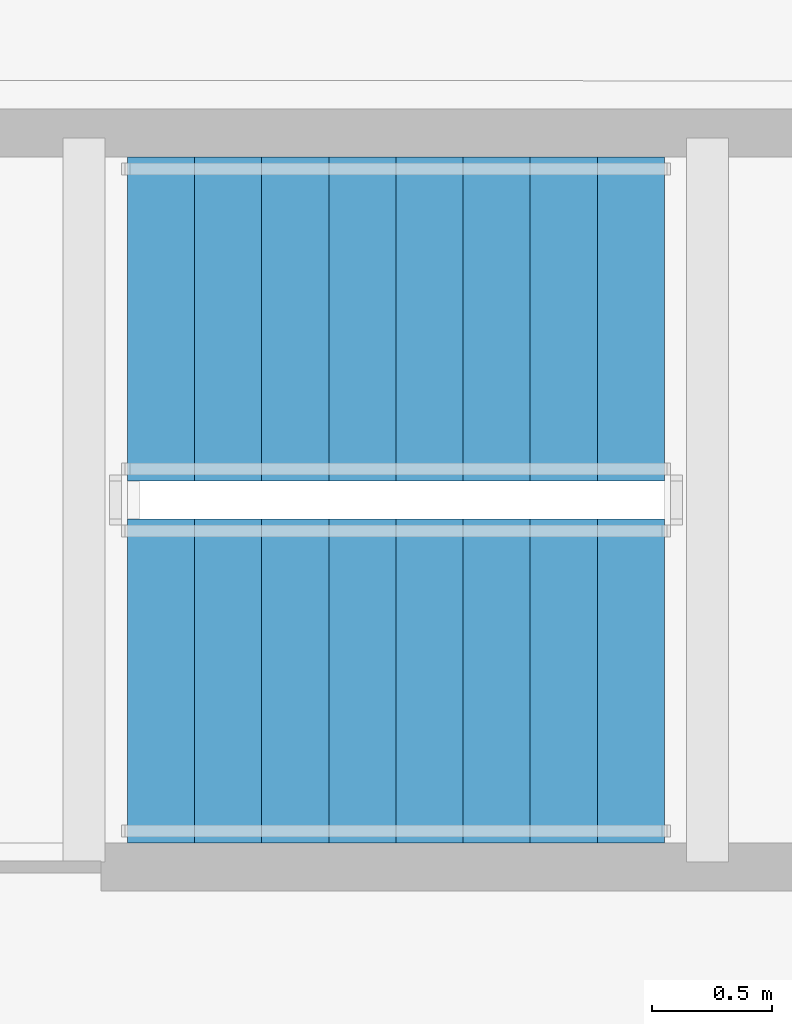
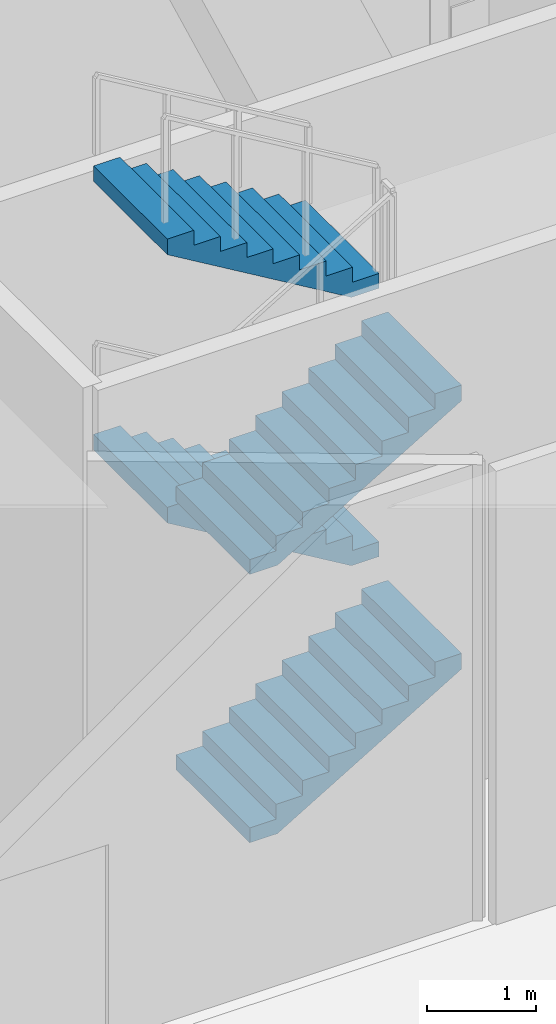
# One storey, part 32 of 40: 4 stair flights, 1 element without a shape of its own.
"""IFC4 building model written with IfcOpenShell, lengths in metres."""

from ifc_helpers import new_model, si_unit, direction, frame, origin, place, context, subcontext, project, spatial, polyline, outline, extrude, material, type_object, element, aggregate, save


model = new_model("IFC4")

# Units and contexts
model_context = context("Model", 3, precision=1e-05, world=origin(), true_north=direction((0.0, 1.0)))
body_context = subcontext(model_context, "Body", "Model", "MODEL_VIEW")
ifc_project = project(units=[si_unit("LENGTHUNIT", "METRE"), si_unit("AREAUNIT", "SQUARE_METRE"), si_unit("VOLUMEUNIT", "CUBIC_METRE"), si_unit("PLANEANGLEUNIT", "RADIAN"), si_unit("MASSUNIT", "GRAM", prefix="KILO")], contexts=[model_context])

# Site, building, storey
site_placement = place(None, origin())
site = spatial("IfcSite", under=ifc_project, at=site_placement, CompositionType="ELEMENT")
building_placement = place(site_placement, origin())
building = spatial("IfcBuilding", under=site, at=building_placement, Name="Qianvela Tower", CompositionType="ELEMENT")
storey_placement = place(building_placement, origin())
storey = spatial("IfcBuildingStorey", under=building, at=storey_placement, Name="L00", CompositionType="ELEMENT", Elevation=0.0)

# Stair, stair flights
ifc_material_1 = material(Name="Concrete C40", Category="concrete")
stair_type = type_object("IfcStairType", Name="ST-DOGLEG-1350-R167-N36", PredefinedType="HALF_TURN_STAIR", material=ifc_material_1)
stair_placement = place(storey_placement, origin())
stair = element("IfcStair", 1, at=stair_placement, inside=storey, type_object=stair_type, Name="L00 Smoke-Proof Core Stair ST-3", PredefinedType="HALF_TURN_STAIR")
ifc_material_2 = material(Name="Concrete C40", Category="concrete")
stair_flight_type = type_object("IfcStairFlightType", Name="STF-STRAIGHT-R167-P9", PredefinedType="STRAIGHT", material=ifc_material_2)
stair_flight_1_placement = place(storey_placement, frame((10.820068359375, 41.875, 0.0), z_axis=(0.0, 0.0, 1.0), x_axis=(1.0, 0.0, 0.0)))
stair_flight_1 = element("IfcStairFlight", 2, at=stair_flight_1_placement, type_object=stair_flight_type, Name="ST-3 flight 1", NumberOfRisers=9, NumberOfTreads=8, PredefinedType="STRAIGHT", RiserHeight=0.166666667, TreadLength=0.28, context=body_context, shape_type="SweptSolid", body=[
    extrude(outline(polyline([(0.0, 0.0), (0.0, 0.166748046875), (0.280029296875, 0.166748046875), (0.280029296875, 0.333251953125), (0.56005859375, 0.333251953125), (0.56005859375, 0.5), (0.840087890625, 0.5), (0.840087890625, 0.666748046875), (1.1201171875, 0.666748046875), (1.1201171875, 0.833251953125), (1.39990234375, 0.833251953125), (1.39990234375, 1.0), (1.679931640625, 1.0), (1.679931640625, 1.166748046875), (1.9599609375, 1.166748046875), (1.9599609375, 1.333251953125), (2.239990234375, 1.333251953125), (2.239990234375, 1.5), (2.239990234375, 1.158935546875), (0.29296875, 0.0), (0.0, 0.0)])), frame((0.0, 0.675048828125, 0.0), z_axis=(0.0, -1.0, 0.0), x_axis=(1.0, 0.0, 0.0)), (0.0, 0.0, 1.0), 1.35009765625),
])
stair_flight_2_placement = place(storey_placement, frame((13.06005859375, 43.385009765625, 1.5), z_axis=(0.0, 0.0, 1.0), x_axis=(-1.0, 0.0, 0.0)))
stair_flight_2 = element("IfcStairFlight", 3, at=stair_flight_2_placement, type_object=stair_flight_type, Name="ST-3 flight 2", NumberOfRisers=9, NumberOfTreads=8, PredefinedType="STRAIGHT", RiserHeight=0.166666667, TreadLength=0.28, context=body_context, shape_type="SweptSolid", body=[
    extrude(outline(polyline([(0.0, 0.0), (0.0, 0.166748046875), (0.280029296875, 0.166748046875), (0.280029296875, 0.333251953125), (0.56005859375, 0.333251953125), (0.56005859375, 0.5), (0.840087890625, 0.5), (0.840087890625, 0.666748046875), (1.1201171875, 0.666748046875), (1.1201171875, 0.833251953125), (1.39990234375, 0.833251953125), (1.39990234375, 1.0), (1.679931640625, 1.0), (1.679931640625, 1.166748046875), (1.9599609375, 1.166748046875), (1.9599609375, 1.333251953125), (2.239990234375, 1.333251953125), (2.239990234375, 1.5), (2.239990234375, 1.158935546875), (0.29296875, 0.0), (0.0, 0.0)])), frame((0.0, 0.675048828125, 0.0), z_axis=(0.0, -1.0, 0.0), x_axis=(1.0, 0.0, 0.0)), (0.0, 0.0, 1.0), 1.35009765625),
])
stair_flight_3_placement = place(storey_placement, frame((10.820068359375, 41.875, 3.0), z_axis=(0.0, 0.0, 1.0), x_axis=(1.0, 0.0, 0.0)))
stair_flight_3 = element("IfcStairFlight", 4, at=stair_flight_3_placement, type_object=stair_flight_type, Name="ST-3 flight 3", NumberOfRisers=9, NumberOfTreads=8, PredefinedType="STRAIGHT", RiserHeight=0.166666667, TreadLength=0.28, context=body_context, shape_type="SweptSolid", body=[
    extrude(outline(polyline([(0.0, 0.0), (0.0, 0.166748046875), (0.280029296875, 0.166748046875), (0.280029296875, 0.333251953125), (0.56005859375, 0.333251953125), (0.56005859375, 0.5), (0.840087890625, 0.5), (0.840087890625, 0.666748046875), (1.1201171875, 0.666748046875), (1.1201171875, 0.833251953125), (1.39990234375, 0.833251953125), (1.39990234375, 1.0), (1.679931640625, 1.0), (1.679931640625, 1.166748046875), (1.9599609375, 1.166748046875), (1.9599609375, 1.333251953125), (2.239990234375, 1.333251953125), (2.239990234375, 1.5), (2.239990234375, 1.158935546875), (0.29296875, 0.0), (0.0, 0.0)])), frame((0.0, 0.675048828125, 0.0), z_axis=(0.0, -1.0, 0.0), x_axis=(1.0, 0.0, 0.0)), (0.0, 0.0, 1.0), 1.35009765625),
])
stair_flight_4_placement = place(storey_placement, frame((13.06005859375, 43.385009765625, 4.5), z_axis=(0.0, 0.0, 1.0), x_axis=(-1.0, 0.0, 0.0)))
stair_flight_4 = element("IfcStairFlight", 5, at=stair_flight_4_placement, type_object=stair_flight_type, Name="ST-3 flight 4", NumberOfRisers=9, NumberOfTreads=8, PredefinedType="STRAIGHT", RiserHeight=0.166666667, TreadLength=0.28, context=body_context, shape_type="SweptSolid", body=[
    extrude(outline(polyline([(0.0, 0.0), (0.0, 0.166748046875), (0.280029296875, 0.166748046875), (0.280029296875, 0.333251953125), (0.56005859375, 0.333251953125), (0.56005859375, 0.5), (0.840087890625, 0.5), (0.840087890625, 0.666748046875), (1.1201171875, 0.666748046875), (1.1201171875, 0.833251953125), (1.39990234375, 0.833251953125), (1.39990234375, 1.0), (1.679931640625, 1.0), (1.679931640625, 1.166748046875), (1.9599609375, 1.166748046875), (1.9599609375, 1.333251953125), (2.239990234375, 1.333251953125), (2.239990234375, 1.5), (2.239990234375, 1.158935546875), (0.29296875, 0.0), (0.0, 0.0)])), frame((0.0, 0.675048828125, 0.0), z_axis=(0.0, -1.0, 0.0), x_axis=(1.0, 0.0, 0.0)), (0.0, 0.0, 1.0), 1.35009765625),
])
aggregate(stair, [stair_flight_1, stair_flight_2, stair_flight_3, stair_flight_4])

save(model, "model.ifc")
